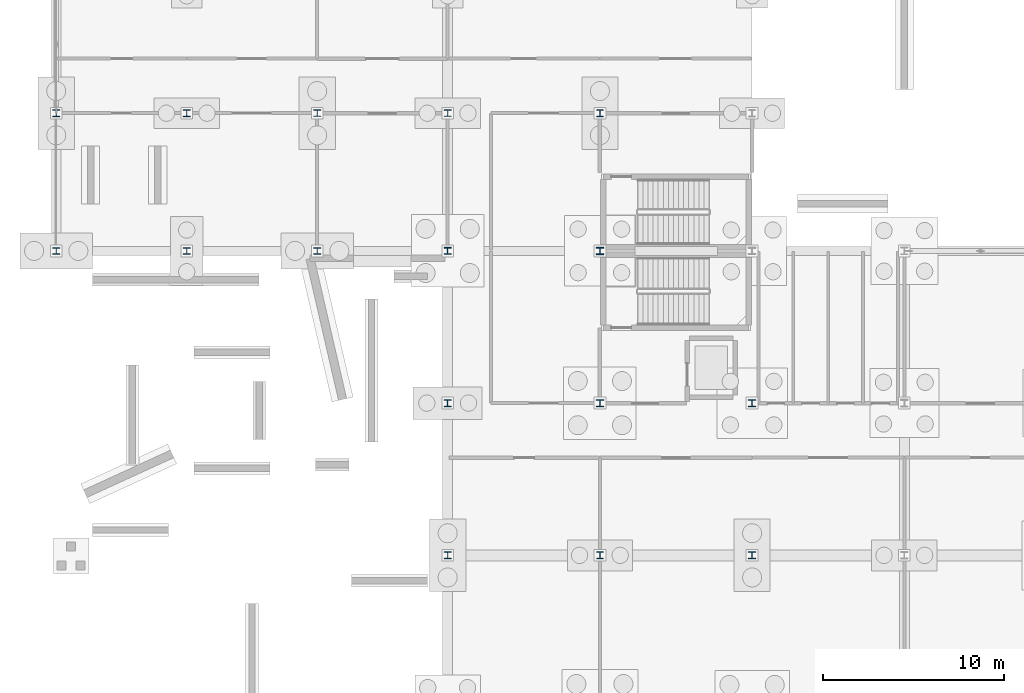
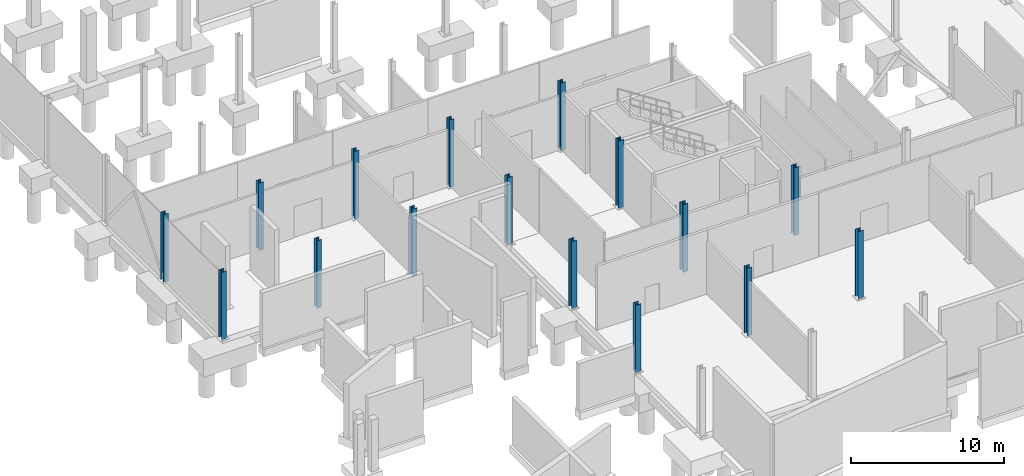
# One storey, part 16 of 61: 16 columns.
"""IFC4 building model written with IfcOpenShell, lengths in metres."""

from ifc_helpers import new_model, si_unit, direction, frame, origin, origin_2d, place, context, subcontext, project, spatial, i_section, extrude, material, material_profile, profile_set, type_object, element, save


model = new_model("IFC4")

# Units and contexts
model_context = context("Model", 3, precision=1e-05, world=origin(), true_north=direction((0.0, 1.0)))
body_context = subcontext(model_context, "Body", "Model", "MODEL_VIEW")
ifc_project = project(units=[si_unit("LENGTHUNIT", "METRE"), si_unit("AREAUNIT", "SQUARE_METRE"), si_unit("VOLUMEUNIT", "CUBIC_METRE"), si_unit("PLANEANGLEUNIT", "RADIAN"), si_unit("MASSUNIT", "GRAM", prefix="KILO")], contexts=[model_context])

# Site, building, storey
site_placement = place(None, origin())
site = spatial("IfcSite", under=ifc_project, at=site_placement, CompositionType="ELEMENT")
building_placement = place(site_placement, origin())
building = spatial("IfcBuilding", under=site, at=building_placement, Name="Calvrana Isthmian Art Gallery", CompositionType="ELEMENT")
storey_placement = place(building_placement, frame((0.0, 0.0, -5.39990234375)))
storey = spatial("IfcBuildingStorey", under=building, at=storey_placement, Name="B1", CompositionType="ELEMENT", Elevation=-5.39990234375)

# Columns
ifc_material = material(Name="Steel ASTM A992 Gr 50", Category="steel")
ifc_material_profile_1 = material_profile(ifc_material, i_section(OverallWidth=0.37109375, OverallDepth=0.363037109375, WebThickness=0.01318359375, FlangeThickness=0.021728515625, FilletRadius=0.02490234375, at=origin_2d()), Name="W14X109")
ifc_profile_set_1 = profile_set([ifc_material_profile_1], Name="Steel ASTM A992 Gr 50")
column_type_1 = type_object("IfcColumnType", Name="COL-STL-W14X109", PredefinedType="COLUMN", material=ifc_profile_set_1)
for number, where, z_axis, x_axis, name in (
    (1, (7.199951171875, 46.800048828125, 0.0), (0.0, 0.0, 1.0), (1.0, 0.0, 0.0), "Column 02/G B1"),
    (2, (14.39990234375, 54.39990234375, 0.0), (0.0, 0.0, 1.0), (1.0, 0.0, 0.0), "Column 03/H B1"),
):
    element("IfcColumn", number, at=place(storey_placement, frame(where, z_axis=z_axis, x_axis=x_axis)), inside=storey, type_object=column_type_1, Name=name, PredefinedType="COLUMN", context=body_context, shape_type="SweptSolid", body=[
        extrude(i_section(OverallWidth=0.37109375, OverallDepth=0.363037109375, WebThickness=0.01318359375, FlangeThickness=0.021728515625, FilletRadius=0.02490234375, at=origin_2d()), origin(), (0.0, 0.0, 1.0), 5.39990234375),
    ])
ifc_material_profile_2 = material_profile(ifc_material, i_section(OverallWidth=0.373046875, OverallDepth=0.367919921875, WebThickness=0.014892578125, FlangeThickness=0.02392578125, FilletRadius=0.02490234375, at=origin_2d()), Name="W14X120")
ifc_profile_set_2 = profile_set([ifc_material_profile_2], Name="Steel ASTM A992 Gr 50")
column_type_2 = type_object("IfcColumnType", Name="COL-STL-W14X120", PredefinedType="COLUMN", material=ifc_profile_set_2)
for number, where, z_axis, x_axis, name in (
    (3, (0.0, 46.800048828125, 0.0), (0.0, 0.0, 1.0), (1.0, 0.0, 0.0), "Column 01/G B1"),
    (4, (7.199951171875, 54.39990234375, 0.0), (0.0, 0.0, 1.0), (1.0, 0.0, 0.0), "Column 02/H B1"),
):
    element("IfcColumn", number, at=place(storey_placement, frame(where, z_axis=z_axis, x_axis=x_axis)), inside=storey, type_object=column_type_2, Name=name, PredefinedType="COLUMN", context=body_context, shape_type="SweptSolid", body=[
        extrude(i_section(OverallWidth=0.373046875, OverallDepth=0.367919921875, WebThickness=0.014892578125, FlangeThickness=0.02392578125, FilletRadius=0.02490234375, at=origin_2d()), origin(), (0.0, 0.0, 1.0), 5.39990234375),
    ])
ifc_material_profile_3 = material_profile(ifc_material, i_section(OverallWidth=0.373046875, OverallDepth=0.373046875, WebThickness=0.016357421875, FlangeThickness=0.026123046875, FilletRadius=0.02490234375, at=origin_2d()), Name="W14X132")
ifc_profile_set_3 = profile_set([ifc_material_profile_3], Name="Steel ASTM A992 Gr 50")
column_type_3 = type_object("IfcColumnType", Name="COL-STL-W14X132", PredefinedType="COLUMN", material=ifc_profile_set_3)
for number, where, z_axis, x_axis, name in (
    (5, (0.0, 54.39990234375, 0.0), (0.0, 0.0, 1.0), (1.0, 0.0, 0.0), "Column 01/H B1"),
    (6, (30.0, 30.0, 0.0), (0.0, 0.0, 1.0), (1.0, 0.0, 0.0), "Column 05/E B1"),
    (7, (30.0, 54.39990234375, 0.0), (0.0, 0.0, 1.0), (1.0, 0.0, 0.0), "Column 05/H B1"),
):
    element("IfcColumn", number, at=place(storey_placement, frame(where, z_axis=z_axis, x_axis=x_axis)), inside=storey, type_object=column_type_3, Name=name, PredefinedType="COLUMN", context=body_context, shape_type="SweptSolid", body=[
        extrude(i_section(OverallWidth=0.373046875, OverallDepth=0.373046875, WebThickness=0.016357421875, FlangeThickness=0.026123046875, FilletRadius=0.02490234375, at=origin_2d()), origin(), (0.0, 0.0, 1.0), 5.39990234375),
    ])
ifc_material_profile_4 = material_profile(ifc_material, i_section(OverallWidth=0.39404296875, OverallDepth=0.3759765625, WebThickness=0.017333984375, FlangeThickness=0.027587890625, FilletRadius=0.02490234375, at=origin_2d()), Name="W14X145")
ifc_profile_set_4 = profile_set([ifc_material_profile_4], Name="Steel ASTM A992 Gr 50")
column_type_4 = type_object("IfcColumnType", Name="COL-STL-W14X145", PredefinedType="COLUMN", material=ifc_profile_set_4)
column_1_placement = place(storey_placement, frame((21.60009765625, 30.0, 0.0), z_axis=(0.0, 0.0, 1.0), x_axis=(1.0, 0.0, 0.0)))
element("IfcColumn", 8, at=column_1_placement, inside=storey, type_object=column_type_4, Name="Column 04/E B1", PredefinedType="COLUMN", context=body_context, shape_type="SweptSolid", body=[
    extrude(i_section(OverallWidth=0.39404296875, OverallDepth=0.3759765625, WebThickness=0.017333984375, FlangeThickness=0.027587890625, FilletRadius=0.02490234375, at=origin_2d()), origin(), (0.0, 0.0, 1.0), 5.39990234375),
])
ifc_material_profile_5 = material_profile(ifc_material, i_section(OverallWidth=0.39599609375, OverallDepth=0.381103515625, WebThickness=0.018798828125, FlangeThickness=0.0302734375, FilletRadius=0.02490234375, at=origin_2d()), Name="W14X159")
ifc_profile_set_5 = profile_set([ifc_material_profile_5], Name="Steel ASTM A992 Gr 50")
column_type_5 = type_object("IfcColumnType", Name="COL-STL-W14X159", PredefinedType="COLUMN", material=ifc_profile_set_5)
column_2_placement = place(storey_placement, frame((21.60009765625, 38.39990234375, 0.0), z_axis=(0.0, 0.0, 1.0), x_axis=(1.0, 0.0, 0.0)))
element("IfcColumn", 9, at=column_2_placement, inside=storey, type_object=column_type_5, Name="Column 04/F B1", PredefinedType="COLUMN", context=body_context, shape_type="SweptSolid", body=[
    extrude(i_section(OverallWidth=0.39599609375, OverallDepth=0.381103515625, WebThickness=0.018798828125, FlangeThickness=0.0302734375, FilletRadius=0.02490234375, at=origin_2d()), origin(), (0.0, 0.0, 1.0), 5.39990234375),
])
ifc_material_profile_6 = material_profile(ifc_material, i_section(OverallWidth=0.39892578125, OverallDepth=0.385986328125, WebThickness=0.02099609375, FlangeThickness=0.033203125, FilletRadius=0.02490234375, at=origin_2d()), Name="W14X176")
ifc_profile_set_6 = profile_set([ifc_material_profile_6], Name="Steel ASTM A992 Gr 50")
column_type_6 = type_object("IfcColumnType", Name="COL-STL-W14X176", PredefinedType="COLUMN", material=ifc_profile_set_6)
for number, where, z_axis, x_axis, name in (
    (10, (21.60009765625, 46.800048828125, 0.0), (0.0, 0.0, 1.0), (1.0, 0.0, 0.0), "Column 04/G B1"),
    (11, (38.39990234375, 30.0, 0.0), (0.0, 0.0, 1.0), (1.0, 0.0, 0.0), "Column 06/E B1"),
    (12, (38.39990234375, 38.39990234375, 0.0), (0.0, 0.0, 1.0), (1.0, 0.0, 0.0), "Column 06/F B1"),
):
    element("IfcColumn", number, at=place(storey_placement, frame(where, z_axis=z_axis, x_axis=x_axis)), inside=storey, type_object=column_type_6, Name=name, PredefinedType="COLUMN", context=body_context, shape_type="SweptSolid", body=[
        extrude(i_section(OverallWidth=0.39892578125, OverallDepth=0.385986328125, WebThickness=0.02099609375, FlangeThickness=0.033203125, FilletRadius=0.02490234375, at=origin_2d()), origin(), (0.0, 0.0, 1.0), 5.39990234375),
    ])
ifc_material_profile_7 = material_profile(ifc_material, i_section(OverallWidth=0.40087890625, OverallDepth=0.39892578125, WebThickness=0.02490234375, FlangeThickness=0.03955078125, FilletRadius=0.02490234375, at=origin_2d()), Name="W14X211")
ifc_profile_set_7 = profile_set([ifc_material_profile_7], Name="Steel ASTM A992 Gr 50")
column_type_7 = type_object("IfcColumnType", Name="COL-STL-W14X211", PredefinedType="COLUMN", material=ifc_profile_set_7)
column_3_placement = place(storey_placement, frame((30.0, 38.39990234375, 0.0), z_axis=(0.0, 0.0, 1.0), x_axis=(1.0, 0.0, 0.0)))
element("IfcColumn", 13, at=column_3_placement, inside=storey, type_object=column_type_7, Name="Column 05/F B1", PredefinedType="COLUMN", context=body_context, shape_type="SweptSolid", body=[
    extrude(i_section(OverallWidth=0.40087890625, OverallDepth=0.39892578125, WebThickness=0.02490234375, FlangeThickness=0.03955078125, FilletRadius=0.02490234375, at=origin_2d()), origin(), (0.0, 0.0, 1.0), 5.39990234375),
])
ifc_material_profile_8 = material_profile(ifc_material, i_section(OverallWidth=0.404052734375, OverallDepth=0.406005859375, WebThickness=0.027099609375, FlangeThickness=0.043701171875, FilletRadius=0.02490234375, at=origin_2d()), Name="W14X233")
ifc_profile_set_8 = profile_set([ifc_material_profile_8], Name="Steel ASTM A992 Gr 50")
column_type_8 = type_object("IfcColumnType", Name="COL-STL-W14X233", PredefinedType="COLUMN", material=ifc_profile_set_8)
column_4_placement = place(storey_placement, frame((30.0, 46.800048828125, 0.0), z_axis=(0.0, 0.0, 1.0), x_axis=(1.0, 0.0, 0.0)))
element("IfcColumn", 14, at=column_4_placement, inside=storey, type_object=column_type_8, Name="Column 05/G B1", PredefinedType="COLUMN", context=body_context, shape_type="SweptSolid", body=[
    extrude(i_section(OverallWidth=0.404052734375, OverallDepth=0.406005859375, WebThickness=0.027099609375, FlangeThickness=0.043701171875, FilletRadius=0.02490234375, at=origin_2d()), origin(), (0.0, 0.0, 1.0), 5.39990234375),
])
ifc_material_profile_9 = material_profile(ifc_material, i_section(OverallWidth=0.367919921875, OverallDepth=0.35595703125, WebThickness=0.01123046875, FlangeThickness=0.01806640625, FilletRadius=0.02490234375, at=origin_2d()), Name="W14X90")
ifc_profile_set_9 = profile_set([ifc_material_profile_9], Name="Steel ASTM A992 Gr 50")
column_type_9 = type_object("IfcColumnType", Name="COL-STL-W14X90", PredefinedType="COLUMN", material=ifc_profile_set_9)
for number, where, z_axis, x_axis, name in (
    (15, (14.39990234375, 46.800048828125, 0.0), (0.0, 0.0, 1.0), (1.0, 0.0, 0.0), "Column 03/G B1"),
    (16, (21.60009765625, 54.39990234375, 0.0), (0.0, 0.0, 1.0), (1.0, 0.0, 0.0), "Column 04/H B1"),
):
    element("IfcColumn", number, at=place(storey_placement, frame(where, z_axis=z_axis, x_axis=x_axis)), inside=storey, type_object=column_type_9, Name=name, PredefinedType="COLUMN", context=body_context, shape_type="SweptSolid", body=[
        extrude(i_section(OverallWidth=0.367919921875, OverallDepth=0.35595703125, WebThickness=0.01123046875, FlangeThickness=0.01806640625, FilletRadius=0.02490234375, at=origin_2d()), origin(), (0.0, 0.0, 1.0), 5.39990234375),
    ])

save(model, "model.ifc")
